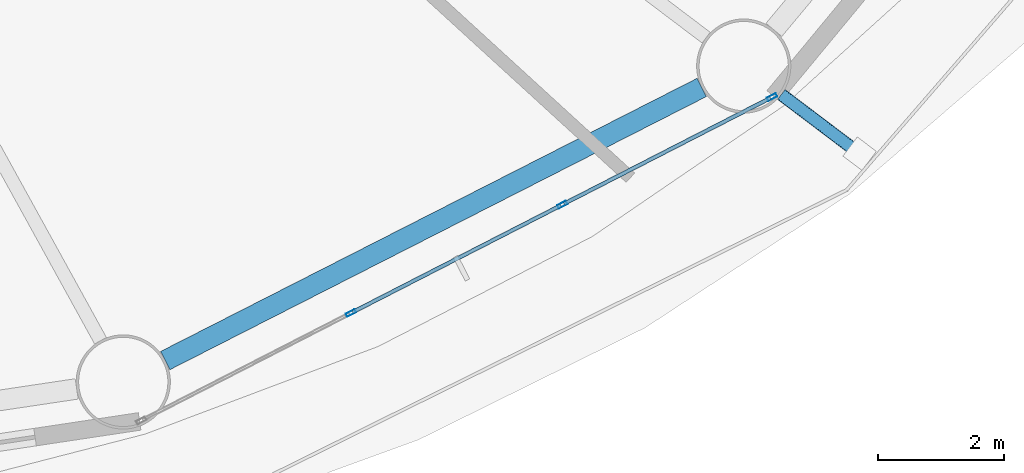
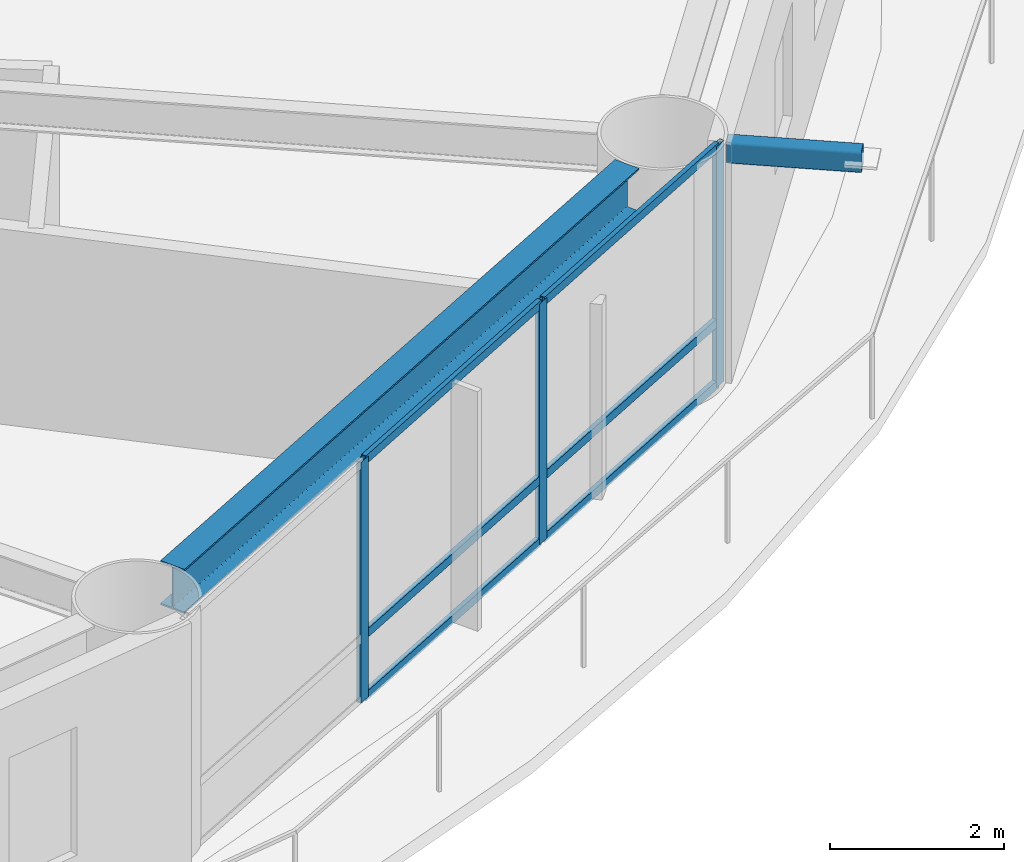
# One storey, part 8 of 28: 10 members, 1 beam, 1 element without a shape of its own.
"""IFC4 building model written with IfcOpenShell, lengths in metres."""

from ifc_helpers import new_model, si_unit, direction, frame, origin, origin_2d, place, context, subcontext, project, spatial, hollow_rectangle, i_section, extrude, material, layer, layer_set, material_profile, profile_set, type_object, element, aggregate, save


model = new_model("IFC4")

# Units and contexts
model_context = context("Model", 3, precision=1e-05, world=origin(), true_north=direction((0.0, 1.0)))
body_context = subcontext(model_context, "Body", "Model", "MODEL_VIEW")
ifc_project = project(units=[si_unit("LENGTHUNIT", "METRE"), si_unit("AREAUNIT", "SQUARE_METRE"), si_unit("VOLUMEUNIT", "CUBIC_METRE"), si_unit("PLANEANGLEUNIT", "RADIAN"), si_unit("MASSUNIT", "GRAM", prefix="KILO")], contexts=[model_context])

# Site, building, storey
site_placement = place(None, origin())
site = spatial("IfcSite", under=ifc_project, at=site_placement, CompositionType="ELEMENT")
building_placement = place(site_placement, origin())
building = spatial("IfcBuilding", under=site, at=building_placement, Name="Sarneth Arch Tower", CompositionType="ELEMENT")
storey_placement = place(building_placement, frame((0.0, 0.0, 67.800048828125)))
storey = spatial("IfcBuildingStorey", under=building, at=storey_placement, Name="L16", CompositionType="ELEMENT", Elevation=67.800048828125)

# Beam
ifc_material_1 = material(Name="Steel S355", Category="steel")
ifc_material_profile_1 = material_profile(ifc_material_1, i_section(OverallWidth=0.326904296875, OverallDepth=0.6220703125, WebThickness=0.015380859375, FlangeThickness=0.0244140625, FilletRadius=0.01904296875, at=origin_2d()), Name="W610x195")
ifc_profile_set_1 = profile_set([ifc_material_profile_1], Name="Steel S355")
beam_type = type_object("IfcBeamType", Name="BM-SPAN-610A", PredefinedType="SPANDREL", material=ifc_profile_set_1)
beam_placement = place(storey_placement, frame((60.486083984375, 20.90625, 3.06884765625), z_axis=(0.891169106887, 0.453671271882, 0.0), x_axis=(-0.453671271882, 0.891169106887, 0.0)))
element("IfcBeam", 1, at=beam_placement, inside=storey, type_object=beam_type, Name="L16 Perimeter spandrel beam 14", PredefinedType="SPANDREL", context=body_context, shape_type="SweptSolid", body=[
    extrude(i_section(OverallWidth=0.326904296875, OverallDepth=0.6220703125, WebThickness=0.015380859375, FlangeThickness=0.0244140625, FilletRadius=0.01904296875, at=origin_2d()), origin(), (0.0, 0.0, 1.0), 9.58544921875),
])

# Curtain wall, members
ifc_material_2 = material(Name="Anodised aluminium Type AA25 and solar-control low-e laminated IGU", Category="aluminium")
ifc_layer = layer(ifc_material_2, 0.159912109375)
ifc_layer_set = layer_set([ifc_layer], Name="Anodised aluminium Type AA25 and solar-control low-e laminated IGU")
curtain_wall_type = type_object("IfcCurtainWallType", Name="CW-HOTEL-LOW", PredefinedType="NOTDEFINED", material=ifc_layer_set)
curtain_wall_placement = place(storey_placement, origin())
curtain_wall = element("IfcCurtainWall", 2, at=curtain_wall_placement, inside=storey, type_object=curtain_wall_type, Name="L16 Unitised curtain wall facet 14", PredefinedType="NOTDEFINED")
ifc_material_3 = material(Name="Anodised Aluminium 6063-T6", Category="aluminium")
ifc_material_profile_2 = material_profile(ifc_material_3, hollow_rectangle(XDim=0.06005859375, YDim=0.159912109375, WallThickness=0.00390625, at=origin_2d()), Name="AL-MULL-160x60x4")
ifc_profile_set_2 = profile_set([ifc_material_profile_2], Name="Anodised Aluminium 6063-T6")
member_type_1 = type_object("IfcMemberType", Name="CW-MULLION", PredefinedType="MULLION", material=ifc_profile_set_2)
member_1_placement = place(storey_placement, frame((63.443359375, 21.663330078125, 0.0), z_axis=(0.0, 0.0, 1.0), x_axis=(-0.456245197127, 0.889854100456, 0.0)))
member_1 = element("IfcMember", 3, at=member_1_placement, type_object=member_type_1, Name="CW-SYS-3 mullion 2", PredefinedType="MULLION", context=body_context, shape_type="SweptSolid", body=[
    extrude(hollow_rectangle(XDim=0.06005859375, YDim=0.159912109375, WallThickness=0.00390625, at=origin_2d()), origin(), (0.0, 0.0, 1.0), 3.3798828125),
])
member_2_placement = place(storey_placement, frame((66.80859375, 23.388671875, 0.0), z_axis=(0.0, 0.0, 1.0), x_axis=(-0.456245197127, 0.889854100456, 0.0)))
member_2 = element("IfcMember", 4, at=member_2_placement, type_object=member_type_1, Name="CW-SYS-3 mullion 3", PredefinedType="MULLION", context=body_context, shape_type="SweptSolid", body=[
    extrude(hollow_rectangle(XDim=0.06005859375, YDim=0.159912109375, WallThickness=0.00390625, at=origin_2d()), origin(), (0.0, 0.0, 1.0), 3.3798828125),
])
member_3_placement = place(storey_placement, frame((70.1474609375, 25.1005859375, 0.0), z_axis=(0.0, 0.0, 1.0), x_axis=(-0.456245197127, 0.889854100456, 0.0)))
member_3 = element("IfcMember", 5, at=member_3_placement, type_object=member_type_1, Name="CW-SYS-3 mullion 4", PredefinedType="MULLION", context=body_context, shape_type="SweptSolid", body=[
    extrude(hollow_rectangle(XDim=0.06005859375, YDim=0.159912109375, WallThickness=0.00390625, at=origin_2d()), origin(), (0.0, 0.0, 1.0), 3.3798828125),
])
ifc_material_4 = material(Name="Anodised Aluminium 6063-T6", Category="aluminium")
ifc_material_profile_3 = material_profile(ifc_material_4, hollow_rectangle(XDim=0.06005859375, YDim=0.1201171875, WallThickness=0.00390625, at=origin_2d()), Name="AL-TRAN-120x60x4")
ifc_profile_set_3 = profile_set([ifc_material_profile_3], Name="Anodised Aluminium 6063-T6")
member_type_2 = type_object("IfcMemberType", Name="CW-TRANSOM", PredefinedType="USERDEFINED", material=ifc_profile_set_3)
member_4_placement = place(storey_placement, frame((63.469970703125, 21.677001953125, 0.030029296875), z_axis=(0.889868677022, 0.456216766083, 0.0), x_axis=(-0.456216766083, 0.889868677022, 0.0)))
member_4 = element("IfcMember", 6, at=member_4_placement, type_object=member_type_2, Name="CW-SYS-3 transom 2.1", ObjectType="TRANSOM", PredefinedType="USERDEFINED", context=body_context, shape_type="SweptSolid", body=[
    extrude(hollow_rectangle(XDim=0.06005859375, YDim=0.1201171875, WallThickness=0.00390625, at=origin_2d()), origin(), (0.0, 0.0, 1.0), 3.721923828125),
])
member_5_placement = place(storey_placement, frame((63.469970703125, 21.677001953125, 0.89990234375), z_axis=(0.889868677022, 0.456216766083, 0.0), x_axis=(-0.456216766083, 0.889868677022, 0.0)))
member_5 = element("IfcMember", 7, at=member_5_placement, type_object=member_type_2, Name="CW-SYS-3 transom 2.2", ObjectType="TRANSOM", PredefinedType="USERDEFINED", context=body_context, shape_type="SweptSolid", body=[
    extrude(hollow_rectangle(XDim=0.06005859375, YDim=0.1201171875, WallThickness=0.00390625, at=origin_2d()), origin(), (0.0, 0.0, 1.0), 3.721923828125),
])
member_6_placement = place(storey_placement, frame((63.469970703125, 21.677001953125, 3.349853515625), z_axis=(0.889868677022, 0.456216766083, 0.0), x_axis=(-0.456216766083, 0.889868677022, 0.0)))
member_6 = element("IfcMember", 8, at=member_6_placement, type_object=member_type_2, Name="CW-SYS-3 transom 2.3", ObjectType="TRANSOM", PredefinedType="USERDEFINED", context=body_context, shape_type="SweptSolid", body=[
    extrude(hollow_rectangle(XDim=0.06005859375, YDim=0.1201171875, WallThickness=0.00390625, at=origin_2d()), origin(), (0.0, 0.0, 1.0), 3.721923828125),
])
member_7_placement = place(storey_placement, frame((66.83544921875, 23.402587890625, 0.030029296875), z_axis=(0.889871845224, 0.456210586327, 0.0), x_axis=(-0.456210586327, 0.889871845224, 0.0)))
member_7 = element("IfcMember", 9, at=member_7_placement, type_object=member_type_2, Name="CW-SYS-3 transom 3.1", ObjectType="TRANSOM", PredefinedType="USERDEFINED", context=body_context, shape_type="SweptSolid", body=[
    extrude(hollow_rectangle(XDim=0.06005859375, YDim=0.1201171875, WallThickness=0.00390625, at=origin_2d()), origin(), (0.0, 0.0, 1.0), 3.69189453125),
])
member_8_placement = place(storey_placement, frame((66.83544921875, 23.402587890625, 0.89990234375), z_axis=(0.889871845224, 0.456210586327, 0.0), x_axis=(-0.456210586327, 0.889871845224, 0.0)))
member_8 = element("IfcMember", 10, at=member_8_placement, type_object=member_type_2, Name="CW-SYS-3 transom 3.2", ObjectType="TRANSOM", PredefinedType="USERDEFINED", context=body_context, shape_type="SweptSolid", body=[
    extrude(hollow_rectangle(XDim=0.06005859375, YDim=0.1201171875, WallThickness=0.00390625, at=origin_2d()), origin(), (0.0, 0.0, 1.0), 3.69189453125),
])
member_9_placement = place(storey_placement, frame((66.83544921875, 23.402587890625, 3.349853515625), z_axis=(0.889871845224, 0.456210586327, 0.0), x_axis=(-0.456210586327, 0.889871845224, 0.0)))
member_9 = element("IfcMember", 11, at=member_9_placement, type_object=member_type_2, Name="CW-SYS-3 transom 3.3", ObjectType="TRANSOM", PredefinedType="USERDEFINED", context=body_context, shape_type="SweptSolid", body=[
    extrude(hollow_rectangle(XDim=0.06005859375, YDim=0.1201171875, WallThickness=0.00390625, at=origin_2d()), origin(), (0.0, 0.0, 1.0), 3.69189453125),
])
aggregate(curtain_wall, [member_1, member_2, member_3, member_4, member_5, member_6, member_7, member_8, member_9])

# Member
ifc_material_5 = material(Name="Steel S355", Category="steel")
ifc_material_profile_4 = material_profile(ifc_material_5, hollow_rectangle(XDim=0.199951171875, YDim=0.300048828125, WallThickness=0.012451171875, InnerFilletRadius=0.018798828125, OuterFilletRadius=0.03125, at=origin_2d()), Name="RHS300x200x12.5")
ifc_profile_set_4 = profile_set([ifc_material_profile_4], Name="Steel S355")
member_type_3 = type_object("IfcMemberType", Name="MEM-CANT-STRUT", PredefinedType="STRUT", material=ifc_profile_set_4)
member_10_placement = place(storey_placement, frame((70.294921875, 25.142822265625, 3.219970703125), z_axis=(0.797613515263, -0.603168865468, 0.0), x_axis=(0.603168865468, 0.797613515263, 0.0)))
element("IfcMember", 12, at=member_10_placement, inside=storey, type_object=member_type_3, Name="L16 Balcony cantilever bracket 15", PredefinedType="STRUT", context=body_context, shape_type="SweptSolid", body=[
    extrude(hollow_rectangle(XDim=0.199951171875, YDim=0.300048828125, WallThickness=0.012451171875, InnerFilletRadius=0.018798828125, OuterFilletRadius=0.03125, at=origin_2d()), origin(), (0.0, 0.0, 1.0), 1.563232421875),
])

save(model, "model.ifc")
